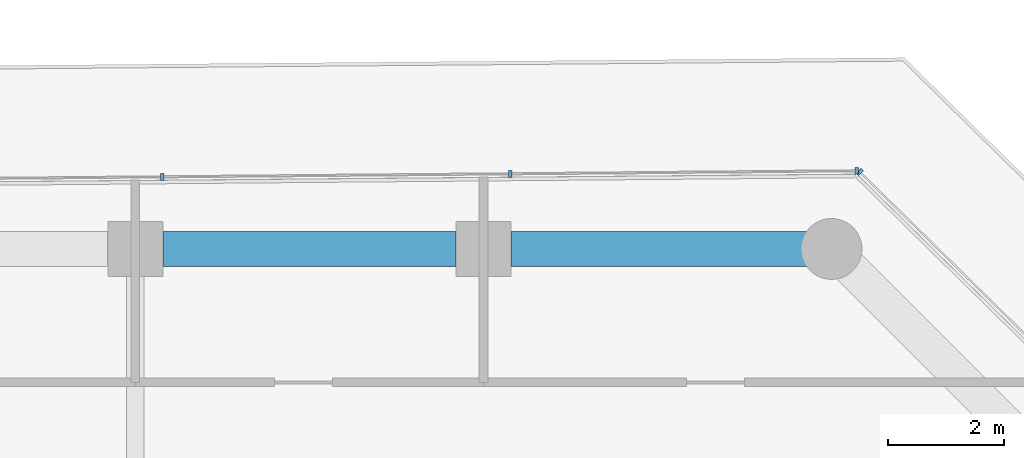
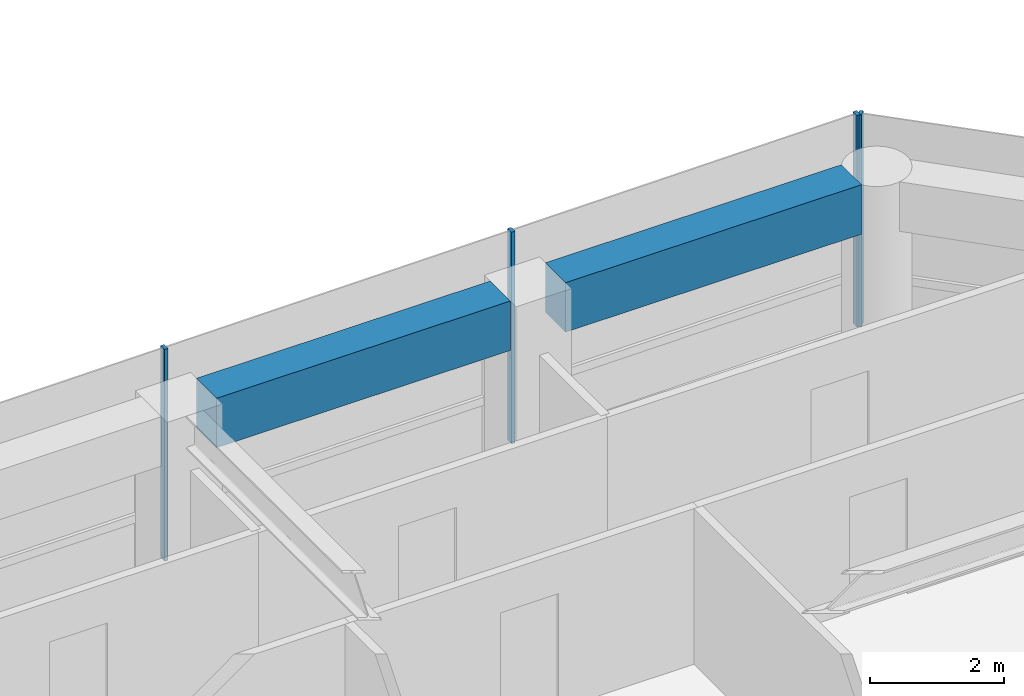
# One storey, part 11 of 28: 4 members, 2 beams, 2 elements without a shape of their own.
"""IFC4 building model written with IfcOpenShell, lengths in metres."""

from ifc_helpers import new_model, si_unit, direction, frame, origin, origin_2d, place, context, subcontext, project, spatial, rectangle, extrude, material, layer, layer_set, material_profile, profile_set, type_object, element, aggregate, save


model = new_model("IFC4")

# Units and contexts
model_context = context("Model", 3, precision=1e-05, world=origin(), true_north=direction((0.0, 1.0)))
body_context = subcontext(model_context, "Body", "Model", "MODEL_VIEW")
ifc_project = project(units=[si_unit("LENGTHUNIT", "METRE"), si_unit("AREAUNIT", "SQUARE_METRE"), si_unit("VOLUMEUNIT", "CUBIC_METRE"), si_unit("PLANEANGLEUNIT", "RADIAN"), si_unit("MASSUNIT", "GRAM", prefix="KILO")], contexts=[model_context])

# Site, building, storey
site_placement = place(None, origin())
site = spatial("IfcSite", under=ifc_project, at=site_placement, CompositionType="ELEMENT")
building_placement = place(site_placement, origin())
building = spatial("IfcBuilding", under=site, at=building_placement, Name="Welwitschia Terrace Campus", CompositionType="ELEMENT")
storey_placement = place(building_placement, frame((0.0, 0.0, 54.199951171875)))
storey = spatial("IfcBuildingStorey", under=building, at=storey_placement, Name="L12", CompositionType="ELEMENT", Elevation=54.199951171875)

# Curtain wall, member
ifc_material_1 = material(Name="Bronze anodised aluminium", Category="aluminium")
ifc_layer = layer(ifc_material_1, 0.1201171875)
ifc_layer_set = layer_set([ifc_layer], Name="Bronze anodised aluminium")
curtain_wall_type = type_object("IfcCurtainWallType", Name="Curtain wall CW2 tower 6000", PredefinedType="NOTDEFINED", material=ifc_layer_set)
curtain_wall_1_placement = place(storey_placement, origin())
curtain_wall_1 = element("IfcCurtainWall", 1, at=curtain_wall_1_placement, inside=storey, type_object=curtain_wall_type, Name="CW L12.7.0", PredefinedType="NOTDEFINED")
ifc_material_2 = material(Name="Bronze anodised aluminium", Category="aluminium")
ifc_material_profile_1 = material_profile(ifc_material_2, rectangle(XDim=0.1201171875, YDim=0.06005859375, at=origin_2d()))
ifc_profile_set_1 = profile_set([ifc_material_profile_1], Name="Bronze anodised aluminium")
member_type = type_object("IfcMemberType", Name="Mullion 60x120", PredefinedType="MULLION", material=ifc_profile_set_1)
member_1_placement = place(storey_placement, frame((60.486572265625, 21.32666015625, 0.0), z_axis=(0.0, 0.0, 1.0), x_axis=(-0.7009092643, -0.713250449154, 0.0)))
member_1 = element("IfcMember", 2, at=member_1_placement, type_object=member_type, Name="Mullion L12.7.0.2", PredefinedType="MULLION", context=body_context, shape_type="SweptSolid", body=[
    extrude(rectangle(XDim=0.1201171875, YDim=0.06005859375, at=origin_2d()), origin(), (0.0, 0.0, 1.0), 3.85009765625),
])
aggregate(curtain_wall_1, [member_1])

# Curtain wall, members
curtain_wall_2_placement = place(storey_placement, origin())
curtain_wall_2 = element("IfcCurtainWall", 3, at=curtain_wall_2_placement, inside=storey, type_object=curtain_wall_type, Name="CW L12.8.0", PredefinedType="NOTDEFINED")
member_2_placement = place(storey_placement, frame((60.43505859375, 21.347412109375, 0.0), z_axis=(0.0, 0.0, 1.0), x_axis=(0.008726535498, -0.999961923064, 0.0)))
member_2 = element("IfcMember", 4, at=member_2_placement, type_object=member_type, Name="Mullion L12.8.0.0", PredefinedType="MULLION", context=body_context, shape_type="SweptSolid", body=[
    extrude(rectangle(XDim=0.1201171875, YDim=0.06005859375, at=origin_2d()), origin(), (0.0, 0.0, 1.0), 3.85009765625),
])
member_3_placement = place(storey_placement, frame((54.46533203125, 21.295166015625, 0.0), z_axis=(0.0, 0.0, 1.0), x_axis=(0.008726535498, -0.999961923064, 0.0)))
member_3 = element("IfcMember", 5, at=member_3_placement, type_object=member_type, Name="Mullion L12.8.0.1", PredefinedType="MULLION", context=body_context, shape_type="SweptSolid", body=[
    extrude(rectangle(XDim=0.1201171875, YDim=0.06005859375, at=origin_2d()), origin(), (0.0, 0.0, 1.0), 3.85009765625),
])
member_4_placement = place(storey_placement, frame((48.465576171875, 21.242919921875, 0.0), z_axis=(0.0, 0.0, 1.0), x_axis=(0.008726535498, -0.999961923064, 0.0)))
member_4 = element("IfcMember", 6, at=member_4_placement, type_object=member_type, Name="Mullion L12.8.0.2", PredefinedType="MULLION", context=body_context, shape_type="SweptSolid", body=[
    extrude(rectangle(XDim=0.1201171875, YDim=0.06005859375, at=origin_2d()), origin(), (0.0, 0.0, 1.0), 3.85009765625),
])
aggregate(curtain_wall_2, [member_2, member_3, member_4])

# Beams
ifc_material_3 = material(Name="Concrete C60/75", Category="concrete")
ifc_material_profile_2 = material_profile(ifc_material_3, rectangle(XDim=0.60009765625, YDim=0.89990234375, at=origin_2d()))
ifc_profile_set_2 = profile_set([ifc_material_profile_2], Name="Concrete C60/75")
beam_type = type_object("IfcBeamType", Name="Ring spandrel 600x900", PredefinedType="SPANDREL", material=ifc_profile_set_2)
beam_1_placement = place(storey_placement, frame((59.568603515625, 20.0, 3.400146484375), z_axis=(-1.0, 0.0, 0.0), x_axis=(0.0, -1.0, 0.0)))
element("IfcBeam", 7, at=beam_1_placement, inside=storey, type_object=beam_type, Name="Spandrel SP2", PredefinedType="SPANDREL", context=body_context, shape_type="SweptSolid", body=[
    extrude(rectangle(XDim=0.60009765625, YDim=0.89990234375, at=origin_2d()), origin(), (0.0, 0.0, 1.0), 5.093017578125),
])
beam_2_placement = place(storey_placement, frame((53.5244140625, 20.0, 3.400146484375), z_axis=(-1.0, 0.0, 0.0), x_axis=(0.0, -1.0, 0.0)))
element("IfcBeam", 8, at=beam_2_placement, inside=storey, type_object=beam_type, Name="Spandrel SP2", PredefinedType="SPANDREL", context=body_context, shape_type="SweptSolid", body=[
    extrude(rectangle(XDim=0.60009765625, YDim=0.89990234375, at=origin_2d()), origin(), (0.0, 0.0, 1.0), 5.048828125),
])

save(model, "model.ifc")
